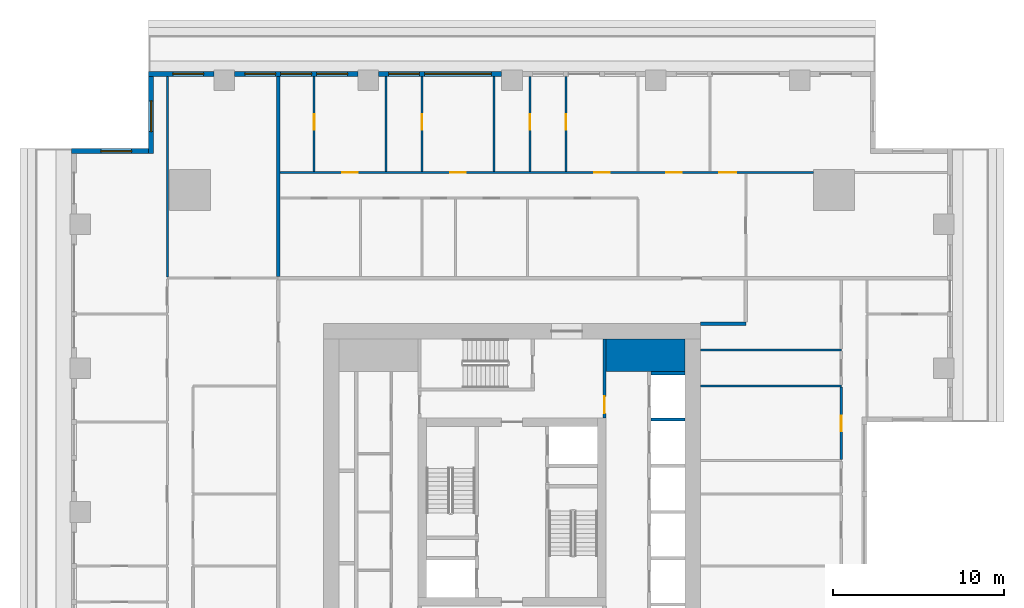
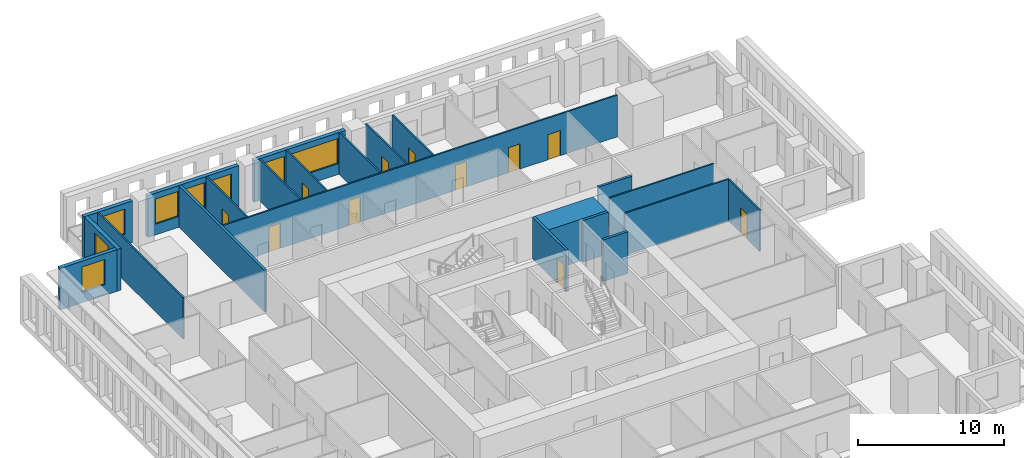
# One storey, part 7 of 15: 22 walls, 11 doors, 8 windows, 19 openings.
"""IFC4 building model written with IfcOpenShell, lengths in metres."""

from ifc_helpers import new_model, si_unit, direction, frame, frame_2d, origin, place, context, subcontext, project, spatial, rectangle, extrude, material, layer, layer_set, type_object, element, fill, save


model = new_model("IFC4")

# Units and contexts
model_context = context("Model", 3, precision=1e-05, world=origin(), true_north=direction((0.0, 1.0)))
body_context = subcontext(model_context, "Body", "Model", "MODEL_VIEW")
ifc_project = project(units=[si_unit("LENGTHUNIT", "METRE"), si_unit("AREAUNIT", "SQUARE_METRE"), si_unit("VOLUMEUNIT", "CUBIC_METRE"), si_unit("PLANEANGLEUNIT", "RADIAN"), si_unit("MASSUNIT", "GRAM", prefix="KILO")], contexts=[model_context])

# Site, building, storey
site_placement = place(None, origin())
site = spatial("IfcSite", under=ifc_project, at=site_placement, CompositionType="ELEMENT")
building_placement = place(site_placement, origin())
building = spatial("IfcBuilding", under=site, at=building_placement, Name="Khepri Terraces", CompositionType="ELEMENT")
storey_placement = place(building_placement, frame((0.0, 0.0, 200.10009765625)))
storey = spatial("IfcBuildingStorey", under=building, at=storey_placement, Name="L47", CompositionType="ELEMENT", Elevation=200.10009765625)

# Walls
ifc_material_1 = material(Name="Concrete C50/60", Category="concrete")
ifc_layer_1 = layer(ifc_material_1, 1.89990234375, Name="Concrete C50/60", Category="concrete")
ifc_layer_set_1 = layer_set([ifc_layer_1], Name="Concrete C50/60")
wall_type_1 = type_object("IfcWallType", Name="Core wall 1900 C50/60", PredefinedType="SHEAR", material=ifc_layer_set_1)
wall_1_placement = place(storey_placement, frame((5.5, 9.14990234375, 0.0), z_axis=(0.0, 0.0, 1.0), x_axis=(1.0, 0.0, 0.0)))
element("IfcWall", 1, at=wall_1_placement, inside=storey, type_object=wall_type_1, Name="Core wall PR04 L47", PredefinedType="SHEAR", context=body_context, shape_type="SweptSolid", body=[
    extrude(rectangle(XDim=4.60009765625, YDim=1.89990234375, at=frame_2d((2.300048828125, 0.0))), origin(), (0.0, 0.0, 1.0), 3.47998046875),
])
ifc_layer_2 = layer(ifc_material_1, 0.199951171875, Name="Concrete C50/60", Category="concrete")
ifc_layer_set_2 = layer_set([ifc_layer_2], Name="Concrete C50/60")
wall_type_2 = type_object("IfcWallType", Name="Core wall 200 C50/60", PredefinedType="SHEAR", material=ifc_layer_set_2)
for number, where, z_axis, x_axis, name in (
    (2, (8.10009765625, 5.39990234375, 0.0), (0.0, 0.0, 1.0), (1.0, 0.0, 0.0), "Core wall SH14 L47"),
    (3, (8.10009765625, 8.10009765625, 0.0), (0.0, 0.0, 1.0), (1.0, 0.0, 0.0), "Core wall SH15 L47"),
):
    element("IfcWall", number, at=place(storey_placement, frame(where, z_axis=z_axis, x_axis=x_axis)), inside=storey, type_object=wall_type_2, Name=name, PredefinedType="SHEAR", context=body_context, shape_type="SweptSolid", body=[
        extrude(rectangle(XDim=2.0, YDim=0.199951171875, at=frame_2d((1.0, 0.0))), origin(), (0.0, 0.0, 1.0), 3.47998046875),
    ])

# Wall, opening, door
ifc_material_2 = material(Name="Fire-rated gypsum board partition")
ifc_layer_3 = layer(ifc_material_2, 0.199951171875, Name="Fire-rated gypsum board partition")
ifc_layer_set_3 = layer_set([ifc_layer_3], Name="Fire-rated gypsum board partition")
wall_type_3 = type_object("IfcWallType", Name="WL-CORE-PART-200", PredefinedType="PARTITIONING", material=ifc_layer_set_3)
wall_2_placement = place(storey_placement, frame((5.39990234375, 5.5, 0.0), z_axis=(0.0, 0.0, 1.0), x_axis=(0.0, 1.0, 0.0)))
wall_2 = element("IfcWall", 4, at=wall_2_placement, inside=storey, type_object=wall_type_3, Name="Core partition PT10 L47", PredefinedType="PARTITIONING", context=body_context, shape_type="SweptSolid", body=[
    extrude(rectangle(XDim=4.60009765625, YDim=0.199951171875, at=frame_2d((2.300048828125, 0.0))), origin(), (0.0, 0.0, 1.0), 3.47998046875),
])
opening_1_placement = place(wall_2_placement, frame((0.25, 0.0, 0.0)))
opening_1 = element("IfcOpeningElement", 5, at=opening_1_placement, cuts=wall_2, Name="Opening L47-C17", PredefinedType="OPENING", context=body_context, shape_type="SweptSolid", body=[
    extrude(rectangle(XDim=1.0, YDim=2.10009765625, at=frame_2d((0.5, 1.050048828125))), frame((0.0, 0.10986328125, 0.0), z_axis=(0.0, -1.0, 0.0), x_axis=(1.0, 0.0, 0.0)), (0.0, 0.0, 1.0), 0.219970703125),
])
ifc_material_3 = material(Name="Painted steel", Category="steel")
door_type_1 = type_object("IfcDoorType", Name="DR-CORE-LOBBY-1000", OperationType="NOTDEFINED", PredefinedType="DOOR", material=ifc_material_3)
door_1_placement = place(opening_1_placement, origin())
door_1 = element("IfcDoor", 6, at=door_1_placement, inside=storey, type_object=door_type_1, Name="Lobby door L47-C17", OperationType="SINGLE_SWING_LEFT", OverallHeight=2.10009765625, OverallWidth=1.0, PredefinedType="DOOR", context=body_context, shape_type="SweptSolid", body=[
    extrude(rectangle(XDim=1.0, YDim=2.10009765625, at=frame_2d((0.5, 1.050048828125))), frame((0.0, 0.02490234375, 0.0), z_axis=(0.0, -1.0, 0.0), x_axis=(1.0, 0.0, 0.0)), (0.0, 0.0, 1.0), 0.050048828125),
])
fill(opening_1, door_1)

# Walls
ifc_material_4 = material(Name="Fire-rated gypsum plasterboard partition, mineral wool")
ifc_layer_4 = layer(ifc_material_4, 0.199951171875, Name="Fire-rated gypsum plasterboard partition, mineral wool")
ifc_layer_set_4 = layer_set([ifc_layer_4], Name="Fire-rated gypsum plasterboard partition, mineral wool")
wall_type_4 = type_object("IfcWallType", Name="WL-CORR-200", PredefinedType="PARTITIONING", material=ifc_layer_set_4)
wall_3_placement = place(storey_placement, frame((11.0, 11.0, 0.0), z_axis=(0.0, 0.0, 1.0), x_axis=(1.0, 0.0, 0.0)))
element("IfcWall", 7, at=wall_3_placement, inside=storey, type_object=wall_type_4, Name="Partition P-062 L47", PredefinedType="PARTITIONING", context=body_context, shape_type="SweptSolid", body=[
    extrude(rectangle(XDim=2.64990234375, YDim=0.199951171875, at=frame_2d((1.324951171875, 0.0))), origin(), (0.0, 0.0, 1.0), 3.47998046875),
])
wall_4_placement = place(storey_placement, frame((-13.64990234375, 13.75, 0.0), z_axis=(0.0, 0.0, 1.0), x_axis=(0.0, 1.0, 0.0)))
element("IfcWall", 8, at=wall_4_placement, inside=storey, type_object=wall_type_4, Name="Partition P-071 L47", PredefinedType="PARTITIONING", context=body_context, shape_type="SweptSolid", body=[
    extrude(rectangle(XDim=11.669921875, YDim=0.199951171875, at=frame_2d((5.8349609375, 0.0))), origin(), (0.0, 0.0, 1.0), 3.47998046875),
])

# Wall, openings, windows
ifc_material_5 = material(Name="Precast concrete C50/60 warm stone", Category="masonry")
ifc_layer_5 = layer(ifc_material_5, 0.300048828125, Name="Precast concrete C50/60 warm stone", Category="masonry")
ifc_layer_set_5 = layer_set([ifc_layer_5], Name="Precast concrete C50/60 warm stone")
wall_type_5 = type_object("IfcWallType", Name="WL-EXT-PRECAST-300", PredefinedType="STANDARD", material=ifc_layer_set_5)
wall_5_placement = place(storey_placement, frame((-0.60009765625, 25.570068359375, 0.0), z_axis=(0.0, 0.0, 1.0), x_axis=(-1.0, 0.0, 0.0)))
wall_5 = element("IfcWall", 9, at=wall_5_placement, inside=storey, type_object=wall_type_5, Name="External wall L47 N", PredefinedType="STANDARD", context=body_context, shape_type="SweptSolid", body=[
    extrude(rectangle(XDim=7.199951171875, YDim=0.300048828125, at=frame_2d((3.60009765625, 0.0))), origin(), (0.0, 0.0, 1.0), 3.47998046875),
])
opening_2_placement = place(wall_5_placement, frame((0.60009765625, 0.0, 0.89990234375)))
opening_2 = element("IfcOpeningElement", 10, at=opening_2_placement, cuts=wall_5, Name="Opening W2", PredefinedType="OPENING", context=body_context, shape_type="SweptSolid", body=[
    extrude(rectangle(XDim=3.89990234375, YDim=2.10009765625, at=frame_2d((1.949951171875, 1.050048828125))), frame((0.0, 0.16015625, 0.0), z_axis=(0.0, -1.0, 0.0), x_axis=(1.0, 0.0, 0.0)), (0.0, 0.0, 1.0), 0.320068359375),
])
opening_3_placement = place(wall_5_placement, frame((4.800048828125, 0.0, 0.89990234375)))
opening_3 = element("IfcOpeningElement", 11, at=opening_3_placement, cuts=wall_5, Name="Opening W1", PredefinedType="OPENING", context=body_context, shape_type="SweptSolid", body=[
    extrude(rectangle(XDim=1.800048828125, YDim=2.10009765625, at=frame_2d((0.89990234375, 1.050048828125))), frame((0.0, 0.16015625, 0.0), z_axis=(0.0, -1.0, 0.0), x_axis=(1.0, 0.0, 0.0)), (0.0, 0.0, 1.0), 0.320068359375),
])
ifc_material_6 = material(Name="Clear glass", Category="glass")
window_type_1 = type_object("IfcWindowType", Name="WIN-RES-1800x2100", PartitioningType="SINGLE_PANEL", PredefinedType="WINDOW", material=ifc_material_6)
window_1_placement = place(opening_3_placement, origin())
window_1 = element("IfcWindow", 12, at=window_1_placement, inside=storey, type_object=window_type_1, Name="Window L47 N", OverallHeight=2.10009765625, OverallWidth=1.800048828125, PartitioningType="SINGLE_PANEL", PredefinedType="WINDOW", context=body_context, shape_type="SweptSolid", body=[
    extrude(rectangle(XDim=1.800048828125, YDim=2.10009765625, at=frame_2d((0.89990234375, 1.050048828125))), frame((0.0, 0.030029296875, 0.0), z_axis=(0.0, -1.0, 0.0), x_axis=(1.0, 0.0, 0.0)), (0.0, 0.0, 1.0), 0.06005859375),
])
fill(opening_3, window_1)
window_type_2 = type_object("IfcWindowType", Name="WIN-RES-3900x2100", PartitioningType="SINGLE_PANEL", PredefinedType="WINDOW", material=ifc_material_6)
window_2_placement = place(opening_2_placement, origin())
window_2 = element("IfcWindow", 13, at=window_2_placement, inside=storey, type_object=window_type_2, Name="Window L47 N", OverallHeight=2.10009765625, OverallWidth=3.89990234375, PartitioningType="SINGLE_PANEL", PredefinedType="WINDOW", context=body_context, shape_type="SweptSolid", body=[
    extrude(rectangle(XDim=3.89990234375, YDim=2.10009765625, at=frame_2d((1.949951171875, 1.050048828125))), frame((0.0, 0.030029296875, 0.0), z_axis=(0.0, -1.0, 0.0), x_axis=(1.0, 0.0, 0.0)), (0.0, 0.0, 1.0), 0.06005859375),
])
fill(opening_2, window_2)

wall_6_placement = place(storey_placement, frame((-9.0, 25.570068359375, 0.0), z_axis=(0.0, 0.0, 1.0), x_axis=(-1.0, 0.0, 0.0)))
wall_6 = element("IfcWall", 14, at=wall_6_placement, inside=storey, type_object=wall_type_5, Name="External wall L47 N", PredefinedType="STANDARD", context=body_context, shape_type="SweptSolid", body=[
    extrude(rectangle(XDim=7.199951171875, YDim=0.300048828125, at=frame_2d((3.60009765625, 0.0))), origin(), (0.0, 0.0, 1.0), 3.47998046875),
])
opening_4_placement = place(wall_6_placement, frame((0.60009765625, 0.0, 0.89990234375)))
opening_4 = element("IfcOpeningElement", 15, at=opening_4_placement, cuts=wall_6, Name="Opening W1", PredefinedType="OPENING", context=body_context, shape_type="SweptSolid", body=[
    extrude(rectangle(XDim=1.800048828125, YDim=2.10009765625, at=frame_2d((0.89990234375, 1.050048828125))), frame((0.0, 0.16015625, 0.0), z_axis=(0.0, -1.0, 0.0), x_axis=(1.0, 0.0, 0.0)), (0.0, 0.0, 1.0), 0.320068359375),
])
opening_5_placement = place(wall_6_placement, frame((2.699951171875, 0.0, 0.89990234375)))
opening_5 = element("IfcOpeningElement", 16, at=opening_5_placement, cuts=wall_6, Name="Opening W1", PredefinedType="OPENING", context=body_context, shape_type="SweptSolid", body=[
    extrude(rectangle(XDim=1.800048828125, YDim=2.10009765625, at=frame_2d((0.89990234375, 1.050048828125))), frame((0.0, 0.16015625, 0.0), z_axis=(0.0, -1.0, 0.0), x_axis=(1.0, 0.0, 0.0)), (0.0, 0.0, 1.0), 0.320068359375),
])
opening_6_placement = place(wall_6_placement, frame((4.800048828125, 0.0, 0.89990234375)))
opening_6 = element("IfcOpeningElement", 17, at=opening_6_placement, cuts=wall_6, Name="Opening W1", PredefinedType="OPENING", context=body_context, shape_type="SweptSolid", body=[
    extrude(rectangle(XDim=1.800048828125, YDim=2.10009765625, at=frame_2d((0.89990234375, 1.050048828125))), frame((0.0, 0.16015625, 0.0), z_axis=(0.0, -1.0, 0.0), x_axis=(1.0, 0.0, 0.0)), (0.0, 0.0, 1.0), 0.320068359375),
])
window_3_placement = place(opening_4_placement, origin())
window_3 = element("IfcWindow", 18, at=window_3_placement, inside=storey, type_object=window_type_1, Name="Window L47 N", OverallHeight=2.10009765625, OverallWidth=1.800048828125, PartitioningType="SINGLE_PANEL", PredefinedType="WINDOW", context=body_context, shape_type="SweptSolid", body=[
    extrude(rectangle(XDim=1.800048828125, YDim=2.10009765625, at=frame_2d((0.89990234375, 1.050048828125))), frame((0.0, 0.030029296875, 0.0), z_axis=(0.0, -1.0, 0.0), x_axis=(1.0, 0.0, 0.0)), (0.0, 0.0, 1.0), 0.06005859375),
])
fill(opening_4, window_3)
window_4_placement = place(opening_5_placement, origin())
window_4 = element("IfcWindow", 19, at=window_4_placement, inside=storey, type_object=window_type_1, Name="Window L47 N", OverallHeight=2.10009765625, OverallWidth=1.800048828125, PartitioningType="SINGLE_PANEL", PredefinedType="WINDOW", context=body_context, shape_type="SweptSolid", body=[
    extrude(rectangle(XDim=1.800048828125, YDim=2.10009765625, at=frame_2d((0.89990234375, 1.050048828125))), frame((0.0, 0.030029296875, 0.0), z_axis=(0.0, -1.0, 0.0), x_axis=(1.0, 0.0, 0.0)), (0.0, 0.0, 1.0), 0.06005859375),
])
fill(opening_5, window_4)
window_5_placement = place(opening_6_placement, origin())
window_5 = element("IfcWindow", 20, at=window_5_placement, inside=storey, type_object=window_type_1, Name="Window L47 N", OverallHeight=2.10009765625, OverallWidth=1.800048828125, PartitioningType="SINGLE_PANEL", PredefinedType="WINDOW", context=body_context, shape_type="SweptSolid", body=[
    extrude(rectangle(XDim=1.800048828125, YDim=2.10009765625, at=frame_2d((0.89990234375, 1.050048828125))), frame((0.0, 0.030029296875, 0.0), z_axis=(0.0, -1.0, 0.0), x_axis=(1.0, 0.0, 0.0)), (0.0, 0.0, 1.0), 0.06005859375),
])
fill(opening_6, window_5)

# Wall, opening, window
wall_7_placement = place(storey_placement, frame((-17.39990234375, 25.570068359375, 0.0), z_axis=(0.0, 0.0, 1.0), x_axis=(-1.0, 0.0, 0.0)))
wall_7 = element("IfcWall", 21, at=wall_7_placement, inside=storey, type_object=wall_type_5, Name="External wall L47 N", PredefinedType="STANDARD", context=body_context, shape_type="SweptSolid", body=[
    extrude(rectangle(XDim=3.820068359375, YDim=0.300048828125, at=frame_2d((1.91015625, 0.0))), origin(), (0.0, 0.0, 1.0), 3.47998046875),
])
opening_7_placement = place(wall_7_placement, frame((0.60009765625, 0.0, 0.89990234375)))
opening_7 = element("IfcOpeningElement", 22, at=opening_7_placement, cuts=wall_7, Name="Opening W1", PredefinedType="OPENING", context=body_context, shape_type="SweptSolid", body=[
    extrude(rectangle(XDim=1.800048828125, YDim=2.10009765625, at=frame_2d((0.89990234375, 1.050048828125))), frame((0.0, 0.16015625, 0.0), z_axis=(0.0, -1.0, 0.0), x_axis=(1.0, 0.0, 0.0)), (0.0, 0.0, 1.0), 0.320068359375),
])
window_6_placement = place(opening_7_placement, origin())
window_6 = element("IfcWindow", 23, at=window_6_placement, inside=storey, type_object=window_type_1, Name="Window L47 N", OverallHeight=2.10009765625, OverallWidth=1.800048828125, PartitioningType="SINGLE_PANEL", PredefinedType="WINDOW", context=body_context, shape_type="SweptSolid", body=[
    extrude(rectangle(XDim=1.800048828125, YDim=2.10009765625, at=frame_2d((0.89990234375, 1.050048828125))), frame((0.0, 0.030029296875, 0.0), z_axis=(0.0, -1.0, 0.0), x_axis=(1.0, 0.0, 0.0)), (0.0, 0.0, 1.0), 0.06005859375),
])
fill(opening_7, window_6)

wall_8_placement = place(storey_placement, frame((-21.070068359375, 25.419921875, 0.0), z_axis=(0.0, 0.0, 1.0), x_axis=(0.0, -1.0, 0.0)))
wall_8 = element("IfcWall", 24, at=wall_8_placement, inside=storey, type_object=wall_type_5, Name="External wall L47 W", PredefinedType="STANDARD", context=body_context, shape_type="SweptSolid", body=[
    extrude(rectangle(XDim=4.5, YDim=0.300048828125, at=frame_2d((2.25, 0.0))), origin(), (0.0, 0.0, 1.0), 3.47998046875),
])
opening_8_placement = place(wall_8_placement, frame((1.419921875, 0.0, 0.89990234375)))
opening_8 = element("IfcOpeningElement", 25, at=opening_8_placement, cuts=wall_8, Name="Opening W1", PredefinedType="OPENING", context=body_context, shape_type="SweptSolid", body=[
    extrude(rectangle(XDim=1.800048828125, YDim=2.10009765625, at=frame_2d((0.89990234375, 1.050048828125))), frame((0.0, 0.16015625, 0.0), z_axis=(0.0, -1.0, 0.0), x_axis=(1.0, 0.0, 0.0)), (0.0, 0.0, 1.0), 0.320068359375),
])
window_7_placement = place(opening_8_placement, origin())
window_7 = element("IfcWindow", 26, at=window_7_placement, inside=storey, type_object=window_type_1, Name="Window L47 W", OverallHeight=2.10009765625, OverallWidth=1.800048828125, PartitioningType="SINGLE_PANEL", PredefinedType="WINDOW", context=body_context, shape_type="SweptSolid", body=[
    extrude(rectangle(XDim=1.800048828125, YDim=2.10009765625, at=frame_2d((0.89990234375, 1.050048828125))), frame((0.0, 0.030029296875, 0.0), z_axis=(0.0, -1.0, 0.0), x_axis=(1.0, 0.0, 0.0)), (0.0, 0.0, 1.0), 0.06005859375),
])
fill(opening_8, window_7)

wall_9_placement = place(storey_placement, frame((-21.219970703125, 21.070068359375, 0.0), z_axis=(0.0, 0.0, 1.0), x_axis=(-1.0, 0.0, 0.0)))
wall_9 = element("IfcWall", 27, at=wall_9_placement, inside=storey, type_object=wall_type_5, Name="External wall L47 N", PredefinedType="STANDARD", context=body_context, shape_type="SweptSolid", body=[
    extrude(rectangle(XDim=4.5, YDim=0.300048828125, at=frame_2d((2.25, 0.0))), origin(), (0.0, 0.0, 1.0), 3.47998046875),
])
opening_9_placement = place(wall_9_placement, frame((0.97998046875, 0.0, 0.89990234375)))
opening_9 = element("IfcOpeningElement", 28, at=opening_9_placement, cuts=wall_9, Name="Opening W1", PredefinedType="OPENING", context=body_context, shape_type="SweptSolid", body=[
    extrude(rectangle(XDim=1.800048828125, YDim=2.10009765625, at=frame_2d((0.89990234375, 1.050048828125))), frame((0.0, 0.16015625, 0.0), z_axis=(0.0, -1.0, 0.0), x_axis=(1.0, 0.0, 0.0)), (0.0, 0.0, 1.0), 0.320068359375),
])
window_8_placement = place(opening_9_placement, origin())
window_8 = element("IfcWindow", 29, at=window_8_placement, inside=storey, type_object=window_type_1, Name="Window L47 N", OverallHeight=2.10009765625, OverallWidth=1.800048828125, PartitioningType="SINGLE_PANEL", PredefinedType="WINDOW", context=body_context, shape_type="SweptSolid", body=[
    extrude(rectangle(XDim=1.800048828125, YDim=2.10009765625, at=frame_2d((0.89990234375, 1.050048828125))), frame((0.0, 0.030029296875, 0.0), z_axis=(0.0, -1.0, 0.0), x_axis=(1.0, 0.0, 0.0)), (0.0, 0.0, 1.0), 0.06005859375),
])
fill(opening_9, window_8)

# Wall, opening, door
ifc_material_7 = material(Name="Gypsum plasterboard partition")
ifc_layer_6 = layer(ifc_material_7, 0.1201171875, Name="Gypsum plasterboard partition")
ifc_layer_set_6 = layer_set([ifc_layer_6], Name="Gypsum plasterboard partition")
wall_type_6 = type_object("IfcWallType", Name="WL-PART-120", PredefinedType="PARTITIONING", material=ifc_layer_set_6)
wall_10_placement = place(storey_placement, frame((19.219970703125, 3.06005859375, 0.0), z_axis=(0.0, 0.0, 1.0), x_axis=(0.0, 1.0, 0.0)))
wall_10 = element("IfcWall", 30, at=wall_10_placement, inside=storey, type_object=wall_type_6, Name="Partition P-053 L47", PredefinedType="PARTITIONING", context=body_context, shape_type="SweptSolid", body=[
    extrude(rectangle(XDim=4.22998046875, YDim=0.1201171875, at=frame_2d((2.114990234375, 0.0))), origin(), (0.0, 0.0, 1.0), 3.47998046875),
])
opening_10_placement = place(wall_10_placement, frame((1.6650390625, 0.0, 0.0)))
opening_10 = element("IfcOpeningElement", 31, at=opening_10_placement, cuts=wall_10, Name="Opening D3", PredefinedType="OPENING", context=body_context, shape_type="SweptSolid", body=[
    extrude(rectangle(XDim=0.89990234375, YDim=2.10009765625, at=frame_2d((0.449951171875, 1.050048828125))), frame((0.0, 0.070068359375, 0.0), z_axis=(0.0, -1.0, 0.0), x_axis=(1.0, 0.0, 0.0)), (0.0, 0.0, 1.0), 0.14013671875),
])
ifc_material_8 = material(Name="Timber door leaf", Category="wood")
door_type_2 = type_object("IfcDoorType", Name="DR-INT-900", OperationType="NOTDEFINED", PredefinedType="DOOR", material=ifc_material_8)
door_2_placement = place(opening_10_placement, origin())
door_2 = element("IfcDoor", 32, at=door_2_placement, inside=storey, type_object=door_type_2, Name="Door Utility Room", OperationType="SINGLE_SWING_LEFT", OverallHeight=2.10009765625, OverallWidth=0.89990234375, PredefinedType="DOOR", context=body_context, shape_type="SweptSolid", body=[
    extrude(rectangle(XDim=0.89990234375, YDim=2.10009765625, at=frame_2d((0.449951171875, 1.050048828125))), frame((0.0, 0.02490234375, 0.0), z_axis=(0.0, -1.0, 0.0), x_axis=(1.0, 0.0, 0.0)), (0.0, 0.0, 1.0), 0.050048828125),
])
fill(opening_10, door_2)

# Walls
for number, where, z_axis, x_axis, name in (
    (33, (11.0, 7.35009765625, 0.0), (0.0, 0.0, 1.0), (1.0, 0.0, 0.0), "Partition P-058 L47"),
    (34, (11.0, 9.449951171875, 0.0), (0.0, 0.0, 1.0), (1.0, 0.0, 0.0), "Partition P-060 L47"),
):
    element("IfcWall", number, at=place(storey_placement, frame(where, z_axis=z_axis, x_axis=x_axis)), inside=storey, type_object=wall_type_6, Name=name, PredefinedType="PARTITIONING", context=body_context, shape_type="SweptSolid", body=[
        extrude(rectangle(XDim=8.219970703125, YDim=0.1201171875, at=frame_2d((4.10986328125, 0.0))), origin(), (0.0, 0.0, 1.0), 3.47998046875),
    ])
wall_11_placement = place(storey_placement, frame((-20.1201171875, 13.7099609375, 0.0), z_axis=(0.0, 0.0, 1.0), x_axis=(0.0, 1.0, 0.0)))
element("IfcWall", 35, at=wall_11_placement, inside=storey, type_object=wall_type_6, Name="Partition P-070 L47", PredefinedType="PARTITIONING", context=body_context, shape_type="SweptSolid", body=[
    extrude(rectangle(XDim=11.7099609375, YDim=0.1201171875, at=frame_2d((5.85498046875, 0.0))), origin(), (0.0, 0.0, 1.0), 3.47998046875),
])

# Wall, openings, doors
wall_12_placement = place(storey_placement, frame((-13.550048828125, 19.820068359375, 0.0), z_axis=(0.0, 0.0, 1.0), x_axis=(1.0, 0.0, 0.0)))
wall_12 = element("IfcWall", 36, at=wall_12_placement, inside=storey, type_object=wall_type_6, Name="Partition P-079 L47", PredefinedType="PARTITIONING", context=body_context, shape_type="SweptSolid", body=[
    extrude(rectangle(XDim=31.150146484375, YDim=0.1201171875, at=frame_2d((15.5751953125, 0.0))), origin(), (0.0, 0.0, 1.0), 3.47998046875),
])
opening_11_placement = place(wall_12_placement, frame((25.64990234375, 0.0, 0.0)))
opening_11 = element("IfcOpeningElement", 37, at=opening_11_placement, cuts=wall_12, Name="Opening D2", PredefinedType="OPENING", context=body_context, shape_type="SweptSolid", body=[
    extrude(rectangle(XDim=1.0, YDim=2.10009765625, at=frame_2d((0.5, 1.050048828125))), frame((0.0, 0.070068359375, 0.0), z_axis=(0.0, -1.0, 0.0), x_axis=(1.0, 0.0, 0.0)), (0.0, 0.0, 1.0), 0.14013671875),
])
opening_12_placement = place(wall_12_placement, frame((22.550048828125, 0.0, 0.0)))
opening_12 = element("IfcOpeningElement", 38, at=opening_12_placement, cuts=wall_12, Name="Opening D3", PredefinedType="OPENING", context=body_context, shape_type="SweptSolid", body=[
    extrude(rectangle(XDim=0.89990234375, YDim=2.10009765625, at=frame_2d((0.449951171875, 1.050048828125))), frame((0.0, 0.070068359375, 0.0), z_axis=(0.0, -1.0, 0.0), x_axis=(1.0, 0.0, 0.0)), (0.0, 0.0, 1.0), 0.14013671875),
])
opening_13_placement = place(wall_12_placement, frame((18.35009765625, 0.0, 0.0)))
opening_13 = element("IfcOpeningElement", 39, at=opening_13_placement, cuts=wall_12, Name="Opening D3", PredefinedType="OPENING", context=body_context, shape_type="SweptSolid", body=[
    extrude(rectangle(XDim=0.89990234375, YDim=2.10009765625, at=frame_2d((0.449951171875, 1.050048828125))), frame((0.0, 0.070068359375, 0.0), z_axis=(0.0, -1.0, 0.0), x_axis=(1.0, 0.0, 0.0)), (0.0, 0.0, 1.0), 0.14013671875),
])
opening_14_placement = place(wall_12_placement, frame((9.949951171875, 0.0, 0.0)))
opening_14 = element("IfcOpeningElement", 40, at=opening_14_placement, cuts=wall_12, Name="Opening D3", PredefinedType="OPENING", context=body_context, shape_type="SweptSolid", body=[
    extrude(rectangle(XDim=0.89990234375, YDim=2.10009765625, at=frame_2d((0.449951171875, 1.050048828125))), frame((0.0, 0.070068359375, 0.0), z_axis=(0.0, -1.0, 0.0), x_axis=(1.0, 0.0, 0.0)), (0.0, 0.0, 1.0), 0.14013671875),
])
opening_15_placement = place(wall_12_placement, frame((3.64990234375, 0.0, 0.0)))
opening_15 = element("IfcOpeningElement", 41, at=opening_15_placement, cuts=wall_12, Name="Opening D3", PredefinedType="OPENING", context=body_context, shape_type="SweptSolid", body=[
    extrude(rectangle(XDim=0.89990234375, YDim=2.10009765625, at=frame_2d((0.449951171875, 1.050048828125))), frame((0.0, 0.070068359375, 0.0), z_axis=(0.0, -1.0, 0.0), x_axis=(1.0, 0.0, 0.0)), (0.0, 0.0, 1.0), 0.14013671875),
])
ifc_material_9 = material(Name="Timber door leaf, living room door", Category="wood")
door_type_3 = type_object("IfcDoorType", Name="DR-INT-1000", OperationType="NOTDEFINED", PredefinedType="DOOR", material=ifc_material_9)
door_3_placement = place(opening_11_placement, origin())
door_3 = element("IfcDoor", 42, at=door_3_placement, inside=storey, type_object=door_type_3, Name="Door Living Room", OperationType="SINGLE_SWING_RIGHT", OverallHeight=2.10009765625, OverallWidth=1.0, PredefinedType="DOOR", context=body_context, shape_type="SweptSolid", body=[
    extrude(rectangle(XDim=1.0, YDim=2.10009765625, at=frame_2d((0.5, 1.050048828125))), frame((0.0, 0.02490234375, 0.0), z_axis=(0.0, -1.0, 0.0), x_axis=(1.0, 0.0, 0.0)), (0.0, 0.0, 1.0), 0.050048828125),
])
fill(opening_11, door_3)
door_4_placement = place(opening_12_placement, origin())
door_4 = element("IfcDoor", 43, at=door_4_placement, inside=storey, type_object=door_type_2, Name="Door Study", OperationType="SINGLE_SWING_RIGHT", OverallHeight=2.10009765625, OverallWidth=0.89990234375, PredefinedType="DOOR", context=body_context, shape_type="SweptSolid", body=[
    extrude(rectangle(XDim=0.89990234375, YDim=2.10009765625, at=frame_2d((0.449951171875, 1.050048828125))), frame((0.0, 0.02490234375, 0.0), z_axis=(0.0, -1.0, 0.0), x_axis=(1.0, 0.0, 0.0)), (0.0, 0.0, 1.0), 0.050048828125),
])
fill(opening_12, door_4)
door_5_placement = place(opening_13_placement, origin())
door_5 = element("IfcDoor", 44, at=door_5_placement, inside=storey, type_object=door_type_2, Name="Door Master Bedroom", OperationType="SINGLE_SWING_RIGHT", OverallHeight=2.10009765625, OverallWidth=0.89990234375, PredefinedType="DOOR", context=body_context, shape_type="SweptSolid", body=[
    extrude(rectangle(XDim=0.89990234375, YDim=2.10009765625, at=frame_2d((0.449951171875, 1.050048828125))), frame((0.0, 0.02490234375, 0.0), z_axis=(0.0, -1.0, 0.0), x_axis=(1.0, 0.0, 0.0)), (0.0, 0.0, 1.0), 0.050048828125),
])
fill(opening_13, door_5)
door_6_placement = place(opening_14_placement, origin())
door_6 = element("IfcDoor", 45, at=door_6_placement, inside=storey, type_object=door_type_2, Name="Door Bedroom", OperationType="SINGLE_SWING_LEFT", OverallHeight=2.10009765625, OverallWidth=0.89990234375, PredefinedType="DOOR", context=body_context, shape_type="SweptSolid", body=[
    extrude(rectangle(XDim=0.89990234375, YDim=2.10009765625, at=frame_2d((0.449951171875, 1.050048828125))), frame((0.0, 0.02490234375, 0.0), z_axis=(0.0, -1.0, 0.0), x_axis=(1.0, 0.0, 0.0)), (0.0, 0.0, 1.0), 0.050048828125),
])
fill(opening_14, door_6)
door_7_placement = place(opening_15_placement, origin())
door_7 = element("IfcDoor", 46, at=door_7_placement, inside=storey, type_object=door_type_2, Name="Door Bedroom", OperationType="SINGLE_SWING_LEFT", OverallHeight=2.10009765625, OverallWidth=0.89990234375, PredefinedType="DOOR", context=body_context, shape_type="SweptSolid", body=[
    extrude(rectangle(XDim=0.89990234375, YDim=2.10009765625, at=frame_2d((0.449951171875, 1.050048828125))), frame((0.0, 0.02490234375, 0.0), z_axis=(0.0, -1.0, 0.0), x_axis=(1.0, 0.0, 0.0)), (0.0, 0.0, 1.0), 0.050048828125),
])
fill(opening_15, door_7)

# Wall, opening, door
wall_13_placement = place(storey_placement, frame((-11.550048828125, 19.8798828125, 0.0), z_axis=(0.0, 0.0, 1.0), x_axis=(0.0, 1.0, 0.0)))
wall_13 = element("IfcWall", 47, at=wall_13_placement, inside=storey, type_object=wall_type_6, Name="Partition P-081 L47", PredefinedType="PARTITIONING", context=body_context, shape_type="SweptSolid", body=[
    extrude(rectangle(XDim=5.5400390625, YDim=0.1201171875, at=frame_2d((2.77001953125, 0.0))), origin(), (0.0, 0.0, 1.0), 3.47998046875),
])
opening_16_placement = place(wall_13_placement, frame((2.43994140625, 0.0, 0.0)))
opening_16 = element("IfcOpeningElement", 48, at=opening_16_placement, cuts=wall_13, Name="Opening D4", PredefinedType="OPENING", context=body_context, shape_type="SweptSolid", body=[
    extrude(rectangle(XDim=0.89990234375, YDim=2.10009765625, at=frame_2d((0.449951171875, 1.050048828125))), frame((0.0, 0.070068359375, 0.0), z_axis=(0.0, -1.0, 0.0), x_axis=(1.0, 0.0, 0.0)), (0.0, 0.0, 1.0), 0.14013671875),
])
ifc_material_10 = material(Name="Timber door leaf, moisture resistant", Category="wood")
door_type_4 = type_object("IfcDoorType", Name="DR-WET-900", OperationType="NOTDEFINED", PredefinedType="DOOR", material=ifc_material_10)
door_8_placement = place(opening_16_placement, origin())
door_8 = element("IfcDoor", 49, at=door_8_placement, inside=storey, type_object=door_type_4, Name="Door Bathroom", OperationType="SINGLE_SWING_RIGHT", OverallHeight=2.10009765625, OverallWidth=0.89990234375, PredefinedType="DOOR", context=body_context, shape_type="SweptSolid", body=[
    extrude(rectangle(XDim=0.89990234375, YDim=2.10009765625, at=frame_2d((0.449951171875, 1.050048828125))), frame((0.0, 0.02490234375, 0.0), z_axis=(0.0, -1.0, 0.0), x_axis=(1.0, 0.0, 0.0)), (0.0, 0.0, 1.0), 0.050048828125),
])
fill(opening_16, door_8)

# Wall
wall_14_placement = place(storey_placement, frame((-7.35009765625, 19.8798828125, 0.0), z_axis=(0.0, 0.0, 1.0), x_axis=(0.0, 1.0, 0.0)))
element("IfcWall", 50, at=wall_14_placement, inside=storey, type_object=wall_type_6, Name="Partition P-082 L47", PredefinedType="PARTITIONING", context=body_context, shape_type="SweptSolid", body=[
    extrude(rectangle(XDim=5.5400390625, YDim=0.1201171875, at=frame_2d((2.77001953125, 0.0))), origin(), (0.0, 0.0, 1.0), 3.47998046875),
])

# Wall, opening, door
wall_15_placement = place(storey_placement, frame((-5.25, 19.8798828125, 0.0), z_axis=(0.0, 0.0, 1.0), x_axis=(0.0, 1.0, 0.0)))
wall_15 = element("IfcWall", 51, at=wall_15_placement, inside=storey, type_object=wall_type_6, Name="Partition P-083 L47", PredefinedType="PARTITIONING", context=body_context, shape_type="SweptSolid", body=[
    extrude(rectangle(XDim=5.5400390625, YDim=0.1201171875, at=frame_2d((2.77001953125, 0.0))), origin(), (0.0, 0.0, 1.0), 3.47998046875),
])
opening_17_placement = place(wall_15_placement, frame((2.43994140625, 0.0, 0.0)))
opening_17 = element("IfcOpeningElement", 52, at=opening_17_placement, cuts=wall_15, Name="Opening D4", PredefinedType="OPENING", context=body_context, shape_type="SweptSolid", body=[
    extrude(rectangle(XDim=0.89990234375, YDim=2.10009765625, at=frame_2d((0.449951171875, 1.050048828125))), frame((0.0, 0.070068359375, 0.0), z_axis=(0.0, -1.0, 0.0), x_axis=(1.0, 0.0, 0.0)), (0.0, 0.0, 1.0), 0.14013671875),
])
door_9_placement = place(opening_17_placement, origin())
door_9 = element("IfcDoor", 53, at=door_9_placement, inside=storey, type_object=door_type_4, Name="Door Bathroom", OperationType="SINGLE_SWING_RIGHT", OverallHeight=2.10009765625, OverallWidth=0.89990234375, PredefinedType="DOOR", context=body_context, shape_type="SweptSolid", body=[
    extrude(rectangle(XDim=0.89990234375, YDim=2.10009765625, at=frame_2d((0.449951171875, 1.050048828125))), frame((0.0, 0.02490234375, 0.0), z_axis=(0.0, -1.0, 0.0), x_axis=(1.0, 0.0, 0.0)), (0.0, 0.0, 1.0), 0.050048828125),
])
fill(opening_17, door_9)

# Wall
wall_16_placement = place(storey_placement, frame((-1.050048828125, 19.8798828125, 0.0), z_axis=(0.0, 0.0, 1.0), x_axis=(0.0, 1.0, 0.0)))
element("IfcWall", 54, at=wall_16_placement, inside=storey, type_object=wall_type_6, Name="Partition P-084 L47", PredefinedType="PARTITIONING", context=body_context, shape_type="SweptSolid", body=[
    extrude(rectangle(XDim=5.5400390625, YDim=0.1201171875, at=frame_2d((2.77001953125, 0.0))), origin(), (0.0, 0.0, 1.0), 3.47998046875),
])

# Wall, opening, door
wall_17_placement = place(storey_placement, frame((1.050048828125, 19.8798828125, 0.0), z_axis=(0.0, 0.0, 1.0), x_axis=(0.0, 1.0, 0.0)))
wall_17 = element("IfcWall", 55, at=wall_17_placement, inside=storey, type_object=wall_type_6, Name="Partition P-085 L47", PredefinedType="PARTITIONING", context=body_context, shape_type="SweptSolid", body=[
    extrude(rectangle(XDim=5.5400390625, YDim=0.1201171875, at=frame_2d((2.77001953125, 0.0))), origin(), (0.0, 0.0, 1.0), 3.47998046875),
])
opening_18_placement = place(wall_17_placement, frame((2.43994140625, 0.0, 0.0)))
opening_18 = element("IfcOpeningElement", 56, at=opening_18_placement, cuts=wall_17, Name="Opening D4", PredefinedType="OPENING", context=body_context, shape_type="SweptSolid", body=[
    extrude(rectangle(XDim=0.89990234375, YDim=2.10009765625, at=frame_2d((0.449951171875, 1.050048828125))), frame((0.0, 0.070068359375, 0.0), z_axis=(0.0, -1.0, 0.0), x_axis=(1.0, 0.0, 0.0)), (0.0, 0.0, 1.0), 0.14013671875),
])
door_10_placement = place(opening_18_placement, origin())
door_10 = element("IfcDoor", 57, at=door_10_placement, inside=storey, type_object=door_type_4, Name="Door Bathroom", OperationType="SINGLE_SWING_RIGHT", OverallHeight=2.10009765625, OverallWidth=0.89990234375, PredefinedType="DOOR", context=body_context, shape_type="SweptSolid", body=[
    extrude(rectangle(XDim=0.89990234375, YDim=2.10009765625, at=frame_2d((0.449951171875, 1.050048828125))), frame((0.0, 0.02490234375, 0.0), z_axis=(0.0, -1.0, 0.0), x_axis=(1.0, 0.0, 0.0)), (0.0, 0.0, 1.0), 0.050048828125),
])
fill(opening_18, door_10)

wall_18_placement = place(storey_placement, frame((3.14990234375, 19.8798828125, 0.0), z_axis=(0.0, 0.0, 1.0), x_axis=(0.0, 1.0, 0.0)))
wall_18 = element("IfcWall", 58, at=wall_18_placement, inside=storey, type_object=wall_type_6, Name="Partition P-086 L47", PredefinedType="PARTITIONING", context=body_context, shape_type="SweptSolid", body=[
    extrude(rectangle(XDim=5.5400390625, YDim=0.1201171875, at=frame_2d((2.77001953125, 0.0))), origin(), (0.0, 0.0, 1.0), 3.47998046875),
])
opening_19_placement = place(wall_18_placement, frame((2.43994140625, 0.0, 0.0)))
opening_19 = element("IfcOpeningElement", 59, at=opening_19_placement, cuts=wall_18, Name="Opening D3", PredefinedType="OPENING", context=body_context, shape_type="SweptSolid", body=[
    extrude(rectangle(XDim=0.89990234375, YDim=2.10009765625, at=frame_2d((0.449951171875, 1.050048828125))), frame((0.0, 0.070068359375, 0.0), z_axis=(0.0, -1.0, 0.0), x_axis=(1.0, 0.0, 0.0)), (0.0, 0.0, 1.0), 0.14013671875),
])
door_11_placement = place(opening_19_placement, origin())
door_11 = element("IfcDoor", 60, at=door_11_placement, inside=storey, type_object=door_type_2, Name="Door Dressing Room", OperationType="SINGLE_SWING_RIGHT", OverallHeight=2.10009765625, OverallWidth=0.89990234375, PredefinedType="DOOR", context=body_context, shape_type="SweptSolid", body=[
    extrude(rectangle(XDim=0.89990234375, YDim=2.10009765625, at=frame_2d((0.449951171875, 1.050048828125))), frame((0.0, 0.02490234375, 0.0), z_axis=(0.0, -1.0, 0.0), x_axis=(1.0, 0.0, 0.0)), (0.0, 0.0, 1.0), 0.050048828125),
])
fill(opening_19, door_11)

save(model, "model.ifc")
